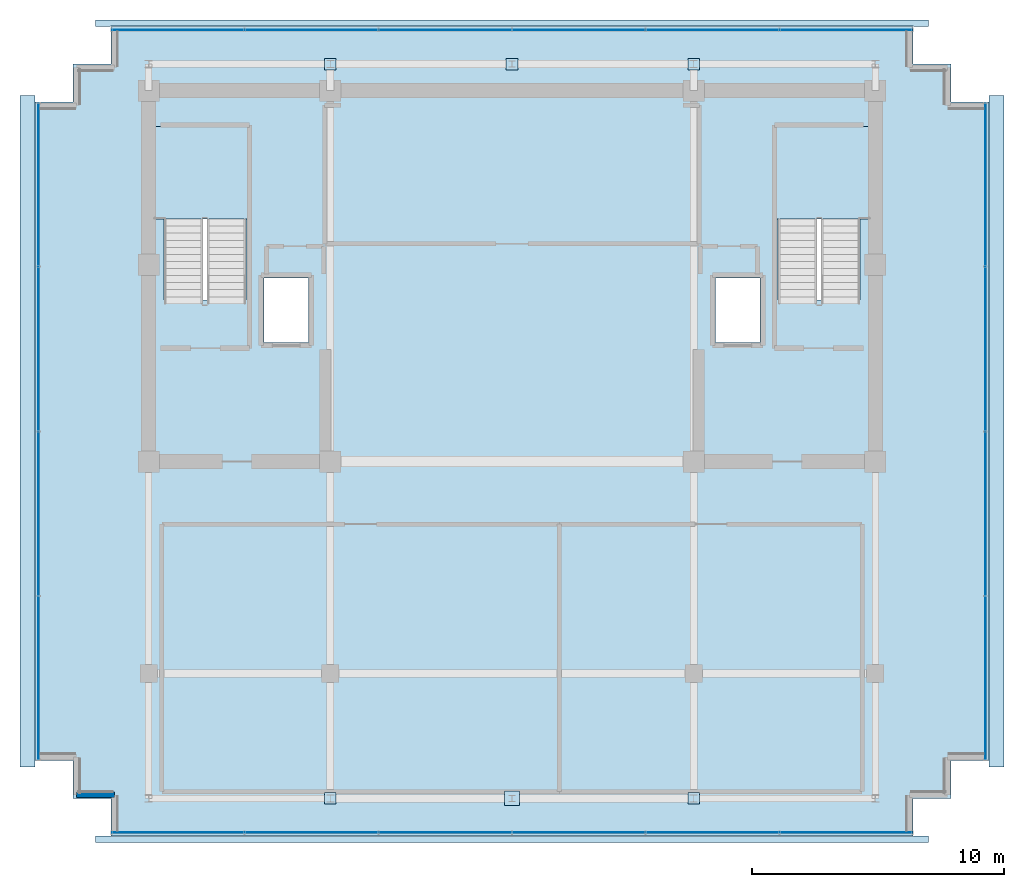
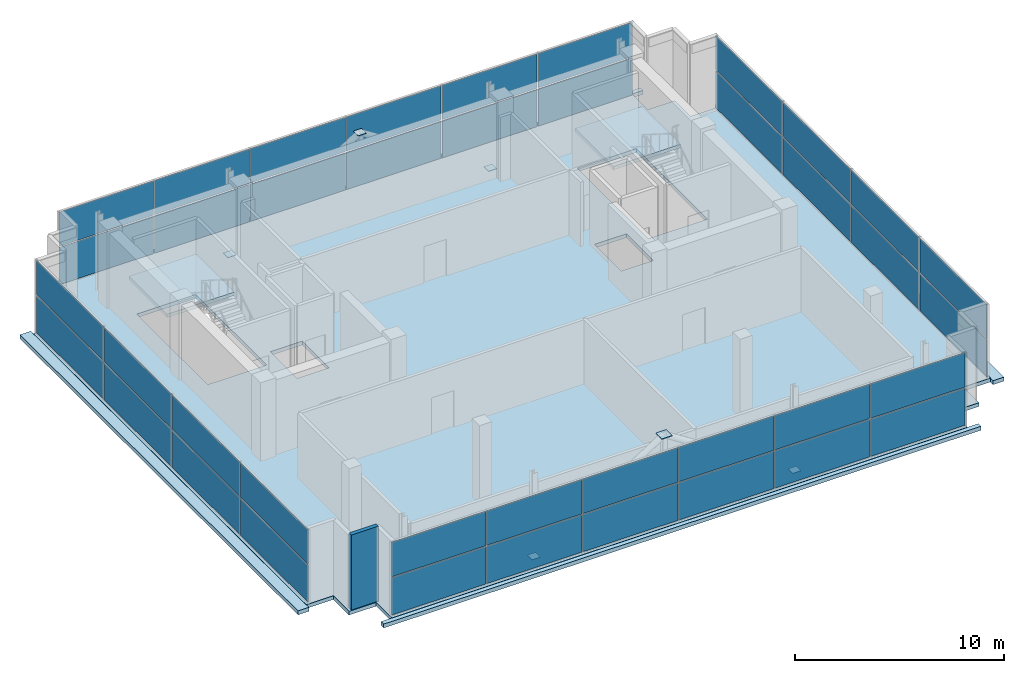
# One storey, part 22 of 26: 46 plates, 7 slabs, 1 wall, 6 elements without a shape of their own.
"""IFC4 building model written with IfcOpenShell, lengths in metres."""

import ifcopenshell
import ifcopenshell.guid

model = None  # the IFC model being written
_history = None  # IfcOwnerHistory: only IFC2X3 demands one
_inside = {}  # id of a spatial element -> (the spatial element, [elements in it])
_under = {}  # id of a project, library or spatial element -> (it, [spatial elements below it])
_declared = {}  # id of a project -> (the project, [libraries it declares])
_typed = {}  # id of a type object -> (the type object, [elements of that type])
_made_of = {}  # id of a material, layer set ... -> (it, [elements and type objects made of it])


def new_model(schema):
    """Start an empty IFC model of exactly this schema.

    Asked for "IFC4X3", IfcOpenShell would pick the latest addendum, in which some entities
    have other attributes; the version numbers below select the first issue.
    IFC2X3 requires an IfcOwnerHistory on every rooted entity: one is made here for all.
    """
    global model, _history
    if schema == "IFC4X3":
        model = ifcopenshell.file(schema_version=(4, 3, 0, 0))
    else:
        model = ifcopenshell.file(schema=schema)
    _inside.clear()
    _under.clear()
    _declared.clear()
    _typed.clear()
    _made_of.clear()
    _history = None
    if model.schema == "IFC2X3":
        org = make("IfcOrganization", Name="unknown")
        user = make(
            "IfcPersonAndOrganization",
            ThePerson=make("IfcPerson", FamilyName="unknown"),
            TheOrganization=org,
        )
        app = make(
            "IfcApplication",
            ApplicationDeveloper=org,
            Version="unknown",
            ApplicationFullName="unknown",
            ApplicationIdentifier="unknown",
        )
        _history = make(
            "IfcOwnerHistory",
            OwningUser=user,
            OwningApplication=app,
            ChangeAction="ADDED",
            CreationDate=0,
        )
    return model


def make(cls, **values):
    """One entity of the class cls with the attributes given. An attribute that is None is left unset."""
    return model.create_entity(
        cls, **{name: value for name, value in values.items() if value is not None}
    )


def rooted(cls, **values):
    """An entity with a GlobalId (a new one), such as an element, a storey or a relation."""
    return make(cls, GlobalId=ifcopenshell.guid.new(), OwnerHistory=_history, **values)


def si_unit(unit_type, name, prefix=None):
    """IfcSIUnit, for example si_unit("LENGTHUNIT", "METRE", prefix="MILLI")."""
    return make("IfcSIUnit", UnitType=unit_type, Prefix=prefix, Name=name)


def assignment(units):
    """IfcUnitAssignment: the units of a project."""
    return None if units is None else make("IfcUnitAssignment", Units=units)


def point(xyz):
    """IfcCartesianPoint."""
    return None if xyz is None else make("IfcCartesianPoint", Coordinates=xyz)


def direction(xyz):
    """IfcDirection."""
    return None if xyz is None else make("IfcDirection", DirectionRatios=xyz)


def frame(location, z_axis=None, x_axis=None):
    """IfcAxis2Placement3D, a coordinate frame: its origin and axes. An axis left out is left unset."""
    return make(
        "IfcAxis2Placement3D",
        Location=point(location),
        Axis=direction(z_axis),
        RefDirection=direction(x_axis),
    )


def frame_2d(location, x_axis=None):
    """IfcAxis2Placement2D, a coordinate frame in the plane: its origin and x axis."""
    return make(
        "IfcAxis2Placement2D", Location=point(location), RefDirection=direction(x_axis)
    )


def origin():
    """The frame at (0, 0, 0) with its axes left unset."""
    return frame((0.0, 0.0, 0.0))


def origin_2d():
    """The frame at (0, 0) in the plane with its x axis left unset."""
    return frame_2d((0.0, 0.0))


def place(relative_to, where):
    """IfcLocalPlacement: puts the frame where relative to a parent placement (None: the world)."""
    return make(
        "IfcLocalPlacement", PlacementRelTo=relative_to, RelativePlacement=where
    )


def context(
    kind, dimensions, precision=None, world=None, true_north=None, identifier=None
):
    """IfcGeometricRepresentationContext, for example the 3D "Model" context."""
    return make(
        "IfcGeometricRepresentationContext",
        ContextIdentifier=identifier,
        ContextType=kind,
        CoordinateSpaceDimension=dimensions,
        Precision=precision,
        WorldCoordinateSystem=world,
        TrueNorth=true_north,
    )


def subcontext(parent, identifier, kind, view, scale=None):
    """IfcGeometricRepresentationSubContext, for example "Body" below "Model"."""
    return make(
        "IfcGeometricRepresentationSubContext",
        ContextIdentifier=identifier,
        ContextType=kind,
        ParentContext=parent,
        TargetScale=scale,
        TargetView=view,
    )


def project(units=None, contexts=None):
    """IfcProject with its units and contexts."""
    return rooted(
        "IfcProject",
        Name="project",
        RepresentationContexts=contexts,
        UnitsInContext=assignment(units),
    )


def spatial(cls, under=None, at=None, **own):
    """A site, building, storey or space (cls), placed at a placement, below another one or the project."""
    s = rooted(cls, ObjectPlacement=at, **own)
    if under is not None:
        _under.setdefault(under.id(), (under, []))[1].append(s)
    return s


def polyline(points):
    """IfcPolyline through the points."""
    return make("IfcPolyline", Points=[point(p) for p in points])


def profile(cls, at=None, kind="AREA", **sizes):
    """A parametric profile (cls). Its sizes go by their IFC names, for example OverallWidth=200.0."""
    return make(cls, ProfileType=kind, Position=at, **sizes)


def rectangle(**sizes):
    """IfcRectangleProfileDef."""
    return profile("IfcRectangleProfileDef", **sizes)


def outline(outer, holes=None, kind="AREA"):
    """IfcArbitraryClosedProfileDef: a profile drawn as a closed curve; with holes, ...WithVoids."""
    if holes is None:
        return make("IfcArbitraryClosedProfileDef", ProfileType=kind, OuterCurve=outer)
    return make(
        "IfcArbitraryProfileDefWithVoids",
        ProfileType=kind,
        OuterCurve=outer,
        InnerCurves=holes,
    )


def extrude(swept, where, along, depth):
    """IfcExtrudedAreaSolid: the profile swept, set in the frame where, extruded along a direction by depth."""
    return make(
        "IfcExtrudedAreaSolid",
        SweptArea=swept,
        Position=where,
        ExtrudedDirection=direction(along),
        Depth=depth,
    )


def shape(context_of_items, identifier, shape_type, items):
    """IfcShapeRepresentation: the items that make up one representation, for example the "Body"."""
    return make(
        "IfcShapeRepresentation",
        ContextOfItems=context_of_items,
        RepresentationIdentifier=identifier,
        RepresentationType=shape_type,
        Items=items,
    )


def source(mapping_origin, context_of_items, identifier, shape_type, items):
    """IfcRepresentationMap: a shape defined once, which mapped items show again and again."""
    return make(
        "IfcRepresentationMap",
        MappingOrigin=mapping_origin,
        MappedRepresentation=shape(context_of_items, identifier, shape_type, items),
    )


def transform(
    local_origin,
    x_axis=None,
    y_axis=None,
    z_axis=None,
    scale=None,
    scale2=None,
    scale3=None,
    uniform=True,
):
    """IfcCartesianTransformationOperator3D, or its non-uniform kind. x_axis, y_axis, z_axis: its Axis1, 2, 3."""
    if uniform:
        return make(
            "IfcCartesianTransformationOperator3D",
            Axis1=direction(x_axis),
            Axis2=direction(y_axis),
            LocalOrigin=point(local_origin),
            Scale=scale,
            Axis3=direction(z_axis),
        )
    return make(
        "IfcCartesianTransformationOperator3DnonUniform",
        Axis1=direction(x_axis),
        Axis2=direction(y_axis),
        LocalOrigin=point(local_origin),
        Scale=scale,
        Axis3=direction(z_axis),
        Scale2=scale2,
        Scale3=scale3,
    )


def mapped(mapping_source, mapping_target):
    """IfcMappedItem: shows the shape of a source again, moved by a transform."""
    return make(
        "IfcMappedItem", MappingSource=mapping_source, MappingTarget=mapping_target
    )


def material(Name=None, Category=None):
    """IfcMaterial."""
    return make("IfcMaterial", Name=Name, Category=Category)


def layer(
    of_material, thickness, ventilated=None, Name=None, Category=None, Priority=None
):
    """IfcMaterialLayer: one layer of a wall or slab, of a material (None: an air gap)."""
    return make(
        "IfcMaterialLayer",
        Material=of_material,
        LayerThickness=thickness,
        IsVentilated=ventilated,
        Name=Name,
        Category=Category,
        Priority=Priority,
    )


def layer_set(layers, Name=None):
    """IfcMaterialLayerSet."""
    return make("IfcMaterialLayerSet", MaterialLayers=layers, LayerSetName=Name)


def made_of(thing, what):
    """Note that an element or type object is made of a material, layer set ...; save() writes the relation."""
    if what is not None:
        _made_of.setdefault(what.id(), (what, []))[1].append(thing)
    return thing


def type_object(cls, material=None, **own):
    """A type object (cls), such as IfcWallType, which elements share."""
    return made_of(rooted(cls, **own), material)


def element(
    cls,
    number,
    at=None,
    inside=None,
    cuts=None,
    type_object=None,
    material=None,
    context=None,
    identifier="Body",
    shape_type=None,
    held_by="IfcProductDefinitionShape",
    body=None,
    shapes=None,
    **own,
):
    """One element of the class cls, such as IfcWall. Its Tag is "e" and its number.

    at: its placement. inside: the storey or other place that contains it. cuts: it is an
    opening in that element (IfcRelVoidsElement). A single representation is given by context,
    identifier, shape_type and body (its items); several are given by shapes. held_by: the class
    of the entity that holds the representations. save() writes the other relations.
    """
    e = rooted(cls, Tag="e%d" % number, ObjectPlacement=at, **own)
    if body is not None:
        shapes = [shape(context, identifier, shape_type, body)]
    if shapes is not None:
        e.Representation = make(held_by, Representations=shapes)
    if inside is not None:
        _inside.setdefault(inside.id(), (inside, []))[1].append(e)
    if cuts is not None:
        rooted(
            "IfcRelVoidsElement", RelatingBuildingElement=cuts, RelatedOpeningElement=e
        )
    if type_object is not None:
        _typed.setdefault(type_object.id(), (type_object, []))[1].append(e)
    return made_of(e, material)


def aggregate(whole, parts):
    """IfcRelAggregates: a whole, such as a stair, and the parts it consists of."""
    return rooted("IfcRelAggregates", RelatingObject=whole, RelatedObjects=parts)


def save(model, path):
    """Write the relations noted so far, then the file.

    IfcRelAggregates (storeys below a building ...), IfcRelContainedInSpatialStructure (elements
    in a storey), IfcRelDefinesByType, IfcRelAssociatesMaterial and IfcRelDeclares: one each for
    every whole, place, type object, material and project.
    """
    for whole, parts in _under.values():
        aggregate(whole, parts)
    for where, things in _inside.values():
        rooted(
            "IfcRelContainedInSpatialStructure",
            RelatedElements=things,
            RelatingStructure=where,
        )
    for kind, things in _typed.values():
        rooted("IfcRelDefinesByType", RelatedObjects=things, RelatingType=kind)
    for what, things in _made_of.values():
        rooted("IfcRelAssociatesMaterial", RelatedObjects=things, RelatingMaterial=what)
    for by, libraries in _declared.values():
        rooted("IfcRelDeclares", RelatingContext=by, RelatedDefinitions=libraries)
    model.write(path)


model = new_model("IFC4")

# Units and contexts
model_context = context("Model", 3, precision=1e-05, world=origin(), true_north=direction((0.0, 1.0)))
body_context = subcontext(model_context, "Body", "Model", "MODEL_VIEW")
ifc_project = project(units=[si_unit("LENGTHUNIT", "METRE"), si_unit("AREAUNIT", "SQUARE_METRE"), si_unit("VOLUMEUNIT", "CUBIC_METRE"), si_unit("PLANEANGLEUNIT", "RADIAN"), si_unit("MASSUNIT", "GRAM", prefix="KILO")], contexts=[model_context])

# Site, building, storey
site_placement = place(None, origin())
site = spatial("IfcSite", under=ifc_project, at=site_placement, CompositionType="ELEMENT")
building_placement = place(site_placement, origin())
building = spatial("IfcBuilding", under=site, at=building_placement, Name="Zarnakvel Exchange Tower", CompositionType="ELEMENT")
storey_placement = place(building_placement, frame((0.0, 0.0, 285.39990234375)))
storey = spatial("IfcBuildingStorey", under=building, at=storey_placement, Name="Crown L80", CompositionType="ELEMENT", Elevation=285.39990234375)

# Stair, slab
ifc_material_1 = material(Name="Concrete C40/50", Category="concrete")
stair_type = type_object("IfcStairType", Name="STR-01", PredefinedType="HALF_TURN_STAIR", material=ifc_material_1)
stair_1_placement = place(storey_placement, origin())
stair_1 = element("IfcStair", 1, at=stair_1_placement, inside=storey, type_object=stair_type, Name="Crown L80 Protected Core Exit Stair ST-01", PredefinedType="HALF_TURN_STAIR")
ifc_layer_1 = layer(ifc_material_1, 0.199951171875)
ifc_layer_set_1 = layer_set([ifc_layer_1], Name="Concrete C40/50")
slab_type_1 = type_object("IfcSlabType", Name="LDG-01", PredefinedType="LANDING", material=ifc_layer_set_1)
slab_1_placement = place(storey_placement, frame((0.0, 0.0, 2.10009765625)))
slab_1 = element("IfcSlab", 2, at=slab_1_placement, type_object=slab_type_1, Name="ST-01 landing 1", PredefinedType="LANDING", context=body_context, shape_type="SweptSolid", body=[
    extrude(outline(polyline([(-14.18994140625, 8.409912109375), (-10.4599609375, 8.409912109375), (-10.4599609375, 12.080078125), (-14.18994140625, 12.080078125), (-14.18994140625, 8.409912109375)])), origin(), (0.0, 0.0, 1.0), 0.199951171875),
])
aggregate(stair_1, [slab_1])

stair_2_placement = place(storey_placement, origin())
stair_2 = element("IfcStair", 3, at=stair_2_placement, inside=storey, type_object=stair_type, Name="Crown L80 Protected Core Exit Stair ST-02", PredefinedType="HALF_TURN_STAIR")
slab_2_placement = place(storey_placement, frame((0.0, 0.0, 2.10009765625)))
slab_2 = element("IfcSlab", 4, at=slab_2_placement, type_object=slab_type_1, Name="ST-02 landing 1", PredefinedType="LANDING", context=body_context, shape_type="SweptSolid", body=[
    extrude(outline(polyline([(10.4599609375, 8.409912109375), (14.18994140625, 8.409912109375), (14.18994140625, 12.080078125), (10.4599609375, 12.080078125), (10.4599609375, 8.409912109375)])), origin(), (0.0, 0.0, 1.0), 0.199951171875),
])
aggregate(stair_2, [slab_2])

# Slabs
ifc_layer_2 = layer(ifc_material_1, 0.22998046875)
ifc_layer_set_2 = layer_set([ifc_layer_2], Name="Concrete C40/50")
slab_type_2 = type_object("IfcSlabType", Name="RF-SL1", PredefinedType="ROOF", material=ifc_layer_set_2)
slab_3_placement = place(storey_placement, frame((0.0, 0.0, -0.22998046875)))
element("IfcSlab", 5, at=slab_3_placement, inside=storey, type_object=slab_type_2, Name="Crown L80 Stepped Crown Tier Roof Slab #1", PredefinedType="ROOF", context=body_context, shape_type="SweptSolid", body=[
    extrude(outline(polyline([(16.5, -16.300048828125), (-16.5, -16.300048828125), (-16.5, -16.050048828125), (-15.909912109375, -16.050048828125), (-15.909912109375, -16.06005859375), (15.909912109375, -16.06005859375), (15.909912109375, -16.050048828125), (16.5, -16.050048828125), (16.5, -16.300048828125)])), origin(), (0.0, 0.0, 1.0), 0.22998046875),
])
slab_4_placement = place(storey_placement, frame((0.0, 0.0, -0.22998046875)))
element("IfcSlab", 6, at=slab_4_placement, inside=storey, type_object=slab_type_2, Name="Crown L80 Stepped Crown Tier Roof Slab #2", PredefinedType="ROOF", context=body_context, shape_type="SweptSolid", body=[
    extrude(outline(polyline([(-16.5, 16.300048828125), (16.5, 16.300048828125), (16.5, 16.050048828125), (15.909912109375, 16.050048828125), (15.909912109375, 16.06005859375), (-15.909912109375, 16.06005859375), (-15.909912109375, 16.050048828125), (-16.5, 16.050048828125), (-16.5, 16.300048828125)])), origin(), (0.0, 0.0, 1.0), 0.22998046875),
])
slab_5_placement = place(storey_placement, frame((0.0, 0.0, -0.22998046875)))
element("IfcSlab", 7, at=slab_5_placement, inside=storey, type_object=slab_type_2, Name="Crown L80 Stepped Crown Tier Roof Slab #3", PredefinedType="ROOF", context=body_context, shape_type="SweptSolid", body=[
    extrude(outline(polyline([(-18.89990234375, 13.300048828125), (-18.89990234375, 13.06005859375), (-18.909912109375, 13.06005859375), (-18.909912109375, -13.06005859375), (-18.89990234375, -13.06005859375), (-18.89990234375, -13.300048828125), (-19.5, -13.300048828125), (-19.5, 13.300048828125), (-18.89990234375, 13.300048828125)])), origin(), (0.0, 0.0, 1.0), 0.22998046875),
])
slab_6_placement = place(storey_placement, frame((0.0, 0.0, -0.22998046875)))
element("IfcSlab", 8, at=slab_6_placement, inside=storey, type_object=slab_type_2, Name="Crown L80 Stepped Crown Tier Roof Slab #4", PredefinedType="ROOF", context=body_context, shape_type="SweptSolid", body=[
    extrude(outline(polyline([(19.5, 13.300048828125), (19.5, -13.300048828125), (18.89990234375, -13.300048828125), (18.89990234375, -13.06005859375), (18.909912109375, -13.06005859375), (18.909912109375, 13.06005859375), (18.89990234375, 13.06005859375), (18.89990234375, 13.300048828125), (19.5, 13.300048828125)])), origin(), (0.0, 0.0, 1.0), 0.22998046875),
])
ifc_layer_3 = layer(ifc_material_1, 0.219970703125)
ifc_layer_set_3 = layer_set([ifc_layer_3], Name="Concrete C40/50")
slab_type_3 = type_object("IfcSlabType", Name="SL-05", PredefinedType="FLOOR", material=ifc_layer_set_3)
slab_7_placement = place(storey_placement, frame((0.0, 0.0, -0.219970703125)))
element("IfcSlab", 9, at=slab_7_placement, inside=storey, type_object=slab_type_3, Name="Crown L80 Primary Structural Floor Slab", PredefinedType="FLOOR", context=body_context, shape_type="SweptSolid", body=[
    extrude(outline(polyline([(-18.89990234375, -13.050048828125), (-17.39990234375, -13.050048828125), (-17.39990234375, -14.550048828125), (-15.89990234375, -14.550048828125), (-15.89990234375, -16.050048828125), (15.89990234375, -16.050048828125), (15.89990234375, -14.550048828125), (17.39990234375, -14.550048828125), (17.39990234375, -13.050048828125), (18.89990234375, -13.050048828125), (18.89990234375, 13.050048828125), (17.39990234375, 13.050048828125), (17.39990234375, 14.550048828125), (15.89990234375, 14.550048828125), (15.89990234375, 16.050048828125), (-15.89990234375, 16.050048828125), (-15.89990234375, 14.550048828125), (-17.39990234375, 14.550048828125), (-17.39990234375, 13.050048828125), (-18.89990234375, 13.050048828125), (-18.89990234375, -13.050048828125)]), holes=[polyline([(-13.800048828125, 5.2099609375), (-10.5400390625, 5.2099609375), (-10.5400390625, 12.0), (-13.800048828125, 12.0), (-13.800048828125, 5.2099609375)]), polyline([(10.5400390625, 5.2099609375), (13.800048828125, 5.2099609375), (13.800048828125, 12.0), (10.5400390625, 12.0), (10.5400390625, 5.2099609375)]), polyline([(-9.830078125, 3.52001953125), (-8.070068359375, 3.52001953125), (-8.070068359375, 6.080078125), (-9.830078125, 6.080078125), (-9.830078125, 3.52001953125)]), polyline([(8.070068359375, 3.52001953125), (9.830078125, 3.52001953125), (9.830078125, 6.080078125), (8.070068359375, 6.080078125), (8.070068359375, 3.52001953125)])]), origin(), (0.0, 0.0, 1.0), 0.219970703125),
])

# Plates
ifc_material_2 = material(Name="Steel S355", Category="steel")
ifc_layer_4 = layer(ifc_material_2, 0.028076171875)
ifc_layer_set_4 = layer_set([ifc_layer_4], Name="Steel S355")
plate_type_1 = type_object("IfcPlateType", Name="BP-02", PredefinedType="USERDEFINED", material=ifc_layer_set_4)
shared_shape_1 = source(origin(), body_context, "Body", "SweptSolid", [
    extrude(rectangle(XDim=0.4599609375, YDim=0.4599609375, at=origin_2d()), origin(), (0.0, 0.0, 1.0), 0.028076171875),
])
for number, where, z_axis, x_axis, name in (
    (10, (-7.199951171875, -14.550048828125, -0.3740234375), (0.0, 0.0, 1.0), (1.0, 0.0, 0.0), "Crown L80 Crown Member End Cap Plate"),
    (11, (7.199951171875, -14.550048828125, -0.3740234375), (0.0, 0.0, 1.0), (1.0, 0.0, 0.0), "Crown L80 Crown Member End Cap Plate"),
    (12, (-7.199951171875, 14.550048828125, -0.3740234375), (0.0, 0.0, 1.0), (1.0, 0.0, 0.0), "Crown L80 Crown Member End Cap Plate"),
    (13, (0.0, 14.550048828125, 4.22607421875), (0.0, 0.0, 1.0), (1.0, 0.0, 0.0), "Crown L80 Crown Member End Cap Plate"),
    (14, (7.199951171875, 14.550048828125, -0.3740234375), (0.0, 0.0, 1.0), (1.0, 0.0, 0.0), "Crown L80 Crown Member End Cap Plate"),
):
    element("IfcPlate", number, at=place(storey_placement, frame(where, z_axis=z_axis, x_axis=x_axis)), inside=storey, type_object=plate_type_1, Name=name, ObjectType="BASE_PLATE", PredefinedType="USERDEFINED", context=body_context, shape_type="MappedRepresentation", body=[
        mapped(shared_shape_1, transform((0.0, 0.0, 0.0), x_axis=(1.0, 0.0, 0.0), y_axis=(0.0, 1.0, 0.0), z_axis=(0.0, 0.0, 1.0), scale=1.0)),
    ])
ifc_layer_5 = layer(ifc_material_2, 0.02490234375)
ifc_layer_set_5 = layer_set([ifc_layer_5], Name="Steel S355")
plate_type_2 = type_object("IfcPlateType", Name="VN4", PredefinedType="USERDEFINED", material=ifc_layer_set_5)
shared_shape_2 = source(origin(), body_context, "Body", "SweptSolid", [
    extrude(rectangle(XDim=0.580078125, YDim=0.580078125, at=origin_2d()), origin(), (0.0, 0.0, 1.0), 0.02490234375),
])
plate_1_placement = place(storey_placement, frame((0.0, -14.550048828125, 4.2275390625), z_axis=(0.0, 0.0, 1.0), x_axis=(1.0, 0.0, 0.0)))
element("IfcPlate", 15, at=plate_1_placement, inside=storey, type_object=plate_type_2, Name="Crown L80 Stepped Crown Gusset VN4", ObjectType="GUSSET_PLATE", PredefinedType="USERDEFINED", context=body_context, shape_type="MappedRepresentation", body=[
    mapped(shared_shape_2, transform((0.0, 0.0, 0.0), x_axis=(1.0, 0.0, 0.0), y_axis=(0.0, 1.0, 0.0), z_axis=(0.0, 0.0, 1.0), scale=1.0)),
])

# Curtain wall, plates
ifc_material_3 = material(Name="Architectural Bronze Anodised Aluminium", Category="aluminium")
ifc_layer_6 = layer(ifc_material_3, 0.14990234375)
ifc_layer_set_6 = layer_set([ifc_layer_6], Name="Architectural Bronze Anodised Aluminium")
curtain_wall_type = type_object("IfcCurtainWallType", Name="CW-07", PredefinedType="NOTDEFINED", material=ifc_layer_set_6)
curtain_wall_1_placement = place(storey_placement, origin())
curtain_wall_1 = element("IfcCurtainWall", 16, at=curtain_wall_1_placement, inside=storey, type_object=curtain_wall_type, Name="Crown L80 Curtain Wall CW-Crown L80-S (CW-07)", PredefinedType="NOTDEFINED")
ifc_material_4 = material(Name="Insulated Bronze Aluminium Spandrel Panel", Category="aluminium")
ifc_layer_7 = layer(ifc_material_4, 0.02392578125)
ifc_layer_set_7 = layer_set([ifc_layer_7], Name="Insulated Bronze Aluminium Spandrel Panel")
plate_type_3 = type_object("IfcPlateType", Name="CWP-07", PredefinedType="CURTAIN_PANEL", material=ifc_layer_set_7)
shared_shape_3 = source(origin(), body_context, "Body", "SweptSolid", [
    extrude(rectangle(XDim=5.2099609375, YDim=0.02392578125, at=origin_2d()), origin(), (0.0, 0.0, 1.0), 2.17724609375),
])
plate_2_placement = place(storey_placement, frame((-13.235107421875, -15.909912109375, 0.06005859375), z_axis=(0.0, 0.0, 1.0), x_axis=(1.0, 0.0, 0.0)))
plate_2 = element("IfcPlate", 17, at=plate_2_placement, type_object=plate_type_3, Name="CW-07 panel 1.1", PredefinedType="CURTAIN_PANEL", context=body_context, shape_type="MappedRepresentation", body=[
    mapped(shared_shape_3, transform((0.0, 0.0, 0.0), x_axis=(1.0, 0.0, 0.0), y_axis=(0.0, 1.0, 0.0), z_axis=(0.0, 0.0, 1.0), scale=1.0)),
])
plate_3_placement = place(storey_placement, frame((13.235107421875, -15.909912109375, 0.06005859375), z_axis=(0.0, 0.0, 1.0), x_axis=(1.0, 0.0, 0.0)))
plate_3 = element("IfcPlate", 18, at=plate_3_placement, type_object=plate_type_3, Name="CW-07 panel 6.1", PredefinedType="CURTAIN_PANEL", context=body_context, shape_type="MappedRepresentation", body=[
    mapped(shared_shape_3, transform((0.0, 0.0, 0.0), x_axis=(1.0, 0.0, 0.0), y_axis=(0.0, 1.0, 0.0), z_axis=(0.0, 0.0, 1.0), scale=1.0)),
])

curtain_wall_2_placement = place(storey_placement, origin())
curtain_wall_2 = element("IfcCurtainWall", 19, at=curtain_wall_2_placement, inside=storey, type_object=curtain_wall_type, Name="Crown L80 Curtain Wall CW-Crown L80-N (CW-07)", PredefinedType="NOTDEFINED")
plate_4_placement = place(storey_placement, frame((-13.235107421875, 15.909912109375, 0.06005859375), z_axis=(0.0, 0.0, 1.0), x_axis=(1.0, 0.0, 0.0)))
plate_4 = element("IfcPlate", 20, at=plate_4_placement, type_object=plate_type_3, Name="CW-07 panel 1.1", PredefinedType="CURTAIN_PANEL", context=body_context, shape_type="MappedRepresentation", body=[
    mapped(shared_shape_3, transform((0.0, 0.0, 0.0), x_axis=(1.0, 0.0, 0.0), y_axis=(0.0, 1.0, 0.0), z_axis=(0.0, 0.0, 1.0), scale=1.0)),
])
plate_5_placement = place(storey_placement, frame((13.235107421875, 15.909912109375, 0.06005859375), z_axis=(0.0, 0.0, 1.0), x_axis=(1.0, 0.0, 0.0)))
plate_5 = element("IfcPlate", 21, at=plate_5_placement, type_object=plate_type_3, Name="CW-07 panel 6.1", PredefinedType="CURTAIN_PANEL", context=body_context, shape_type="MappedRepresentation", body=[
    mapped(shared_shape_3, transform((0.0, 0.0, 0.0), x_axis=(1.0, 0.0, 0.0), y_axis=(0.0, 1.0, 0.0), z_axis=(0.0, 0.0, 1.0), scale=1.0)),
])

# Plate
shared_shape_4 = source(origin(), body_context, "Body", "SweptSolid", [
    extrude(rectangle(XDim=5.2099609375, YDim=0.02392578125, at=origin_2d()), origin(), (0.0, 0.0, 1.0), 2.002685546875),
])
plate_6_placement = place(storey_placement, frame((-13.235107421875, -15.909912109375, 2.29736328125), z_axis=(0.0, 0.0, 1.0), x_axis=(1.0, 0.0, 0.0)))
plate_6 = element("IfcPlate", 22, at=plate_6_placement, type_object=plate_type_3, Name="CW-07 panel 1.2", PredefinedType="CURTAIN_PANEL", context=body_context, shape_type="MappedRepresentation", body=[
    mapped(shared_shape_4, transform((0.0, 0.0, 0.0), x_axis=(1.0, 0.0, 0.0), y_axis=(0.0, 1.0, 0.0), z_axis=(0.0, 0.0, 1.0), scale=1.0)),
])

plate_7_placement = place(storey_placement, frame((13.235107421875, -15.909912109375, 2.29736328125), z_axis=(0.0, 0.0, 1.0), x_axis=(1.0, 0.0, 0.0)))
plate_7 = element("IfcPlate", 23, at=plate_7_placement, type_object=plate_type_3, Name="CW-07 panel 6.2", PredefinedType="CURTAIN_PANEL", context=body_context, shape_type="MappedRepresentation", body=[
    mapped(shared_shape_4, transform((0.0, 0.0, 0.0), x_axis=(1.0, 0.0, 0.0), y_axis=(0.0, 1.0, 0.0), z_axis=(0.0, 0.0, 1.0), scale=1.0)),
])

plate_8_placement = place(storey_placement, frame((-13.235107421875, 15.909912109375, 2.29736328125), z_axis=(0.0, 0.0, 1.0), x_axis=(1.0, 0.0, 0.0)))
plate_8 = element("IfcPlate", 24, at=plate_8_placement, type_object=plate_type_3, Name="CW-07 panel 1.2", PredefinedType="CURTAIN_PANEL", context=body_context, shape_type="MappedRepresentation", body=[
    mapped(shared_shape_4, transform((0.0, 0.0, 0.0), x_axis=(1.0, 0.0, 0.0), y_axis=(0.0, 1.0, 0.0), z_axis=(0.0, 0.0, 1.0), scale=1.0)),
])

plate_9_placement = place(storey_placement, frame((13.235107421875, 15.909912109375, 2.29736328125), z_axis=(0.0, 0.0, 1.0), x_axis=(1.0, 0.0, 0.0)))
plate_9 = element("IfcPlate", 25, at=plate_9_placement, type_object=plate_type_3, Name="CW-07 panel 6.2", PredefinedType="CURTAIN_PANEL", context=body_context, shape_type="MappedRepresentation", body=[
    mapped(shared_shape_4, transform((0.0, 0.0, 0.0), x_axis=(1.0, 0.0, 0.0), y_axis=(0.0, 1.0, 0.0), z_axis=(0.0, 0.0, 1.0), scale=1.0)),
])

shared_shape_5 = source(origin(), body_context, "Body", "SweptSolid", [
    extrude(rectangle(XDim=5.239990234375, YDim=0.02392578125, at=origin_2d()), origin(), (0.0, 0.0, 1.0), 2.17724609375),
])
plate_10_placement = place(storey_placement, frame((-7.949951171875, -15.909912109375, 0.06005859375), z_axis=(0.0, 0.0, 1.0), x_axis=(1.0, 0.0, 0.0)))
plate_10 = element("IfcPlate", 26, at=plate_10_placement, type_object=plate_type_3, Name="CW-07 panel 2.1", PredefinedType="CURTAIN_PANEL", context=body_context, shape_type="MappedRepresentation", body=[
    mapped(shared_shape_5, transform((0.0, 0.0, 0.0), x_axis=(1.0, 0.0, 0.0), y_axis=(0.0, 1.0, 0.0), z_axis=(0.0, 0.0, 1.0), scale=1.0)),
])

plate_11_placement = place(storey_placement, frame((-2.64990234375, -15.909912109375, 0.06005859375), z_axis=(0.0, 0.0, 1.0), x_axis=(1.0, 0.0, 0.0)))
plate_11 = element("IfcPlate", 27, at=plate_11_placement, type_object=plate_type_3, Name="CW-07 panel 3.1", PredefinedType="CURTAIN_PANEL", context=body_context, shape_type="MappedRepresentation", body=[
    mapped(shared_shape_5, transform((0.0, 0.0, 0.0), x_axis=(1.0, 0.0, 0.0), y_axis=(0.0, 1.0, 0.0), z_axis=(0.0, 0.0, 1.0), scale=1.0)),
])

plate_12_placement = place(storey_placement, frame((2.64990234375, -15.909912109375, 0.06005859375), z_axis=(0.0, 0.0, 1.0), x_axis=(1.0, 0.0, 0.0)))
plate_12 = element("IfcPlate", 28, at=plate_12_placement, type_object=plate_type_3, Name="CW-07 panel 4.1", PredefinedType="CURTAIN_PANEL", context=body_context, shape_type="MappedRepresentation", body=[
    mapped(shared_shape_5, transform((0.0, 0.0, 0.0), x_axis=(1.0, 0.0, 0.0), y_axis=(0.0, 1.0, 0.0), z_axis=(0.0, 0.0, 1.0), scale=1.0)),
])

plate_13_placement = place(storey_placement, frame((7.949951171875, -15.909912109375, 0.06005859375), z_axis=(0.0, 0.0, 1.0), x_axis=(1.0, 0.0, 0.0)))
plate_13 = element("IfcPlate", 29, at=plate_13_placement, type_object=plate_type_3, Name="CW-07 panel 5.1", PredefinedType="CURTAIN_PANEL", context=body_context, shape_type="MappedRepresentation", body=[
    mapped(shared_shape_5, transform((0.0, 0.0, 0.0), x_axis=(1.0, 0.0, 0.0), y_axis=(0.0, 1.0, 0.0), z_axis=(0.0, 0.0, 1.0), scale=1.0)),
])

plate_14_placement = place(storey_placement, frame((-7.949951171875, 15.909912109375, 0.06005859375), z_axis=(0.0, 0.0, 1.0), x_axis=(1.0, 0.0, 0.0)))
plate_14 = element("IfcPlate", 30, at=plate_14_placement, type_object=plate_type_3, Name="CW-07 panel 2.1", PredefinedType="CURTAIN_PANEL", context=body_context, shape_type="MappedRepresentation", body=[
    mapped(shared_shape_5, transform((0.0, 0.0, 0.0), x_axis=(1.0, 0.0, 0.0), y_axis=(0.0, 1.0, 0.0), z_axis=(0.0, 0.0, 1.0), scale=1.0)),
])

plate_15_placement = place(storey_placement, frame((-2.64990234375, 15.909912109375, 0.06005859375), z_axis=(0.0, 0.0, 1.0), x_axis=(1.0, 0.0, 0.0)))
plate_15 = element("IfcPlate", 31, at=plate_15_placement, type_object=plate_type_3, Name="CW-07 panel 3.1", PredefinedType="CURTAIN_PANEL", context=body_context, shape_type="MappedRepresentation", body=[
    mapped(shared_shape_5, transform((0.0, 0.0, 0.0), x_axis=(1.0, 0.0, 0.0), y_axis=(0.0, 1.0, 0.0), z_axis=(0.0, 0.0, 1.0), scale=1.0)),
])

plate_16_placement = place(storey_placement, frame((2.64990234375, 15.909912109375, 0.06005859375), z_axis=(0.0, 0.0, 1.0), x_axis=(1.0, 0.0, 0.0)))
plate_16 = element("IfcPlate", 32, at=plate_16_placement, type_object=plate_type_3, Name="CW-07 panel 4.1", PredefinedType="CURTAIN_PANEL", context=body_context, shape_type="MappedRepresentation", body=[
    mapped(shared_shape_5, transform((0.0, 0.0, 0.0), x_axis=(1.0, 0.0, 0.0), y_axis=(0.0, 1.0, 0.0), z_axis=(0.0, 0.0, 1.0), scale=1.0)),
])

plate_17_placement = place(storey_placement, frame((7.949951171875, 15.909912109375, 0.06005859375), z_axis=(0.0, 0.0, 1.0), x_axis=(1.0, 0.0, 0.0)))
plate_17 = element("IfcPlate", 33, at=plate_17_placement, type_object=plate_type_3, Name="CW-07 panel 5.1", PredefinedType="CURTAIN_PANEL", context=body_context, shape_type="MappedRepresentation", body=[
    mapped(shared_shape_5, transform((0.0, 0.0, 0.0), x_axis=(1.0, 0.0, 0.0), y_axis=(0.0, 1.0, 0.0), z_axis=(0.0, 0.0, 1.0), scale=1.0)),
])

shared_shape_6 = source(origin(), body_context, "Body", "SweptSolid", [
    extrude(rectangle(XDim=5.239990234375, YDim=0.02392578125, at=origin_2d()), origin(), (0.0, 0.0, 1.0), 2.002685546875),
])
plate_18_placement = place(storey_placement, frame((-7.949951171875, -15.909912109375, 2.29736328125), z_axis=(0.0, 0.0, 1.0), x_axis=(1.0, 0.0, 0.0)))
plate_18 = element("IfcPlate", 34, at=plate_18_placement, type_object=plate_type_3, Name="CW-07 panel 2.2", PredefinedType="CURTAIN_PANEL", context=body_context, shape_type="MappedRepresentation", body=[
    mapped(shared_shape_6, transform((0.0, 0.0, 0.0), x_axis=(1.0, 0.0, 0.0), y_axis=(0.0, 1.0, 0.0), z_axis=(0.0, 0.0, 1.0), scale=1.0)),
])

plate_19_placement = place(storey_placement, frame((-2.64990234375, -15.909912109375, 2.29736328125), z_axis=(0.0, 0.0, 1.0), x_axis=(1.0, 0.0, 0.0)))
plate_19 = element("IfcPlate", 35, at=plate_19_placement, type_object=plate_type_3, Name="CW-07 panel 3.2", PredefinedType="CURTAIN_PANEL", context=body_context, shape_type="MappedRepresentation", body=[
    mapped(shared_shape_6, transform((0.0, 0.0, 0.0), x_axis=(1.0, 0.0, 0.0), y_axis=(0.0, 1.0, 0.0), z_axis=(0.0, 0.0, 1.0), scale=1.0)),
])

plate_20_placement = place(storey_placement, frame((2.64990234375, -15.909912109375, 2.29736328125), z_axis=(0.0, 0.0, 1.0), x_axis=(1.0, 0.0, 0.0)))
plate_20 = element("IfcPlate", 36, at=plate_20_placement, type_object=plate_type_3, Name="CW-07 panel 4.2", PredefinedType="CURTAIN_PANEL", context=body_context, shape_type="MappedRepresentation", body=[
    mapped(shared_shape_6, transform((0.0, 0.0, 0.0), x_axis=(1.0, 0.0, 0.0), y_axis=(0.0, 1.0, 0.0), z_axis=(0.0, 0.0, 1.0), scale=1.0)),
])

plate_21_placement = place(storey_placement, frame((7.949951171875, -15.909912109375, 2.29736328125), z_axis=(0.0, 0.0, 1.0), x_axis=(1.0, 0.0, 0.0)))
plate_21 = element("IfcPlate", 37, at=plate_21_placement, type_object=plate_type_3, Name="CW-07 panel 5.2", PredefinedType="CURTAIN_PANEL", context=body_context, shape_type="MappedRepresentation", body=[
    mapped(shared_shape_6, transform((0.0, 0.0, 0.0), x_axis=(1.0, 0.0, 0.0), y_axis=(0.0, 1.0, 0.0), z_axis=(0.0, 0.0, 1.0), scale=1.0)),
])

aggregate(curtain_wall_1, [plate_2, plate_6, plate_10, plate_18, plate_11, plate_19, plate_12, plate_20, plate_13, plate_21, plate_3, plate_7])

plate_22_placement = place(storey_placement, frame((-7.949951171875, 15.909912109375, 2.29736328125), z_axis=(0.0, 0.0, 1.0), x_axis=(1.0, 0.0, 0.0)))
plate_22 = element("IfcPlate", 38, at=plate_22_placement, type_object=plate_type_3, Name="CW-07 panel 2.2", PredefinedType="CURTAIN_PANEL", context=body_context, shape_type="MappedRepresentation", body=[
    mapped(shared_shape_6, transform((0.0, 0.0, 0.0), x_axis=(1.0, 0.0, 0.0), y_axis=(0.0, 1.0, 0.0), z_axis=(0.0, 0.0, 1.0), scale=1.0)),
])

plate_23_placement = place(storey_placement, frame((-2.64990234375, 15.909912109375, 2.29736328125), z_axis=(0.0, 0.0, 1.0), x_axis=(1.0, 0.0, 0.0)))
plate_23 = element("IfcPlate", 39, at=plate_23_placement, type_object=plate_type_3, Name="CW-07 panel 3.2", PredefinedType="CURTAIN_PANEL", context=body_context, shape_type="MappedRepresentation", body=[
    mapped(shared_shape_6, transform((0.0, 0.0, 0.0), x_axis=(1.0, 0.0, 0.0), y_axis=(0.0, 1.0, 0.0), z_axis=(0.0, 0.0, 1.0), scale=1.0)),
])

plate_24_placement = place(storey_placement, frame((2.64990234375, 15.909912109375, 2.29736328125), z_axis=(0.0, 0.0, 1.0), x_axis=(1.0, 0.0, 0.0)))
plate_24 = element("IfcPlate", 40, at=plate_24_placement, type_object=plate_type_3, Name="CW-07 panel 4.2", PredefinedType="CURTAIN_PANEL", context=body_context, shape_type="MappedRepresentation", body=[
    mapped(shared_shape_6, transform((0.0, 0.0, 0.0), x_axis=(1.0, 0.0, 0.0), y_axis=(0.0, 1.0, 0.0), z_axis=(0.0, 0.0, 1.0), scale=1.0)),
])

plate_25_placement = place(storey_placement, frame((7.949951171875, 15.909912109375, 2.29736328125), z_axis=(0.0, 0.0, 1.0), x_axis=(1.0, 0.0, 0.0)))
plate_25 = element("IfcPlate", 41, at=plate_25_placement, type_object=plate_type_3, Name="CW-07 panel 5.2", PredefinedType="CURTAIN_PANEL", context=body_context, shape_type="MappedRepresentation", body=[
    mapped(shared_shape_6, transform((0.0, 0.0, 0.0), x_axis=(1.0, 0.0, 0.0), y_axis=(0.0, 1.0, 0.0), z_axis=(0.0, 0.0, 1.0), scale=1.0)),
])

aggregate(curtain_wall_2, [plate_4, plate_8, plate_14, plate_22, plate_15, plate_23, plate_16, plate_24, plate_17, plate_25, plate_5, plate_9])

# Curtain wall, plates
curtain_wall_3_placement = place(storey_placement, origin())
curtain_wall_3 = element("IfcCurtainWall", 42, at=curtain_wall_3_placement, inside=storey, type_object=curtain_wall_type, Name="Crown L80 Curtain Wall CW-Crown L80-W (CW-07)", PredefinedType="NOTDEFINED")
shared_shape_7 = source(origin(), body_context, "Body", "SweptSolid", [
    extrude(rectangle(XDim=6.43505859375, YDim=0.02392578125, at=origin_2d()), origin(), (0.0, 0.0, 1.0), 2.17724609375),
])
plate_26_placement = place(storey_placement, frame((-18.760009765625, -9.7724609375, 0.06005859375), z_axis=(0.0, 0.0, 1.0), x_axis=(0.0, 1.0, 0.0)))
plate_26 = element("IfcPlate", 43, at=plate_26_placement, type_object=plate_type_3, Name="CW-07 panel 1.1", PredefinedType="CURTAIN_PANEL", context=body_context, shape_type="MappedRepresentation", body=[
    mapped(shared_shape_7, transform((0.0, 0.0, 0.0), x_axis=(1.0, 0.0, 0.0), y_axis=(0.0, 1.0, 0.0), z_axis=(0.0, 0.0, 1.0), scale=1.0)),
])
plate_27_placement = place(storey_placement, frame((-18.760009765625, 9.7724609375, 0.06005859375), z_axis=(0.0, 0.0, 1.0), x_axis=(0.0, 1.0, 0.0)))
plate_27 = element("IfcPlate", 44, at=plate_27_placement, type_object=plate_type_3, Name="CW-07 panel 4.1", PredefinedType="CURTAIN_PANEL", context=body_context, shape_type="MappedRepresentation", body=[
    mapped(shared_shape_7, transform((0.0, 0.0, 0.0), x_axis=(1.0, 0.0, 0.0), y_axis=(0.0, 1.0, 0.0), z_axis=(0.0, 0.0, 1.0), scale=1.0)),
])

curtain_wall_4_placement = place(storey_placement, origin())
curtain_wall_4 = element("IfcCurtainWall", 45, at=curtain_wall_4_placement, inside=storey, type_object=curtain_wall_type, Name="Crown L80 Curtain Wall CW-Crown L80-E (CW-07)", PredefinedType="NOTDEFINED")
plate_28_placement = place(storey_placement, frame((18.760009765625, -9.7724609375, 0.06005859375), z_axis=(0.0, 0.0, 1.0), x_axis=(0.0, 1.0, 0.0)))
plate_28 = element("IfcPlate", 46, at=plate_28_placement, type_object=plate_type_3, Name="CW-07 panel 1.1", PredefinedType="CURTAIN_PANEL", context=body_context, shape_type="MappedRepresentation", body=[
    mapped(shared_shape_7, transform((0.0, 0.0, 0.0), x_axis=(1.0, 0.0, 0.0), y_axis=(0.0, 1.0, 0.0), z_axis=(0.0, 0.0, 1.0), scale=1.0)),
])
plate_29_placement = place(storey_placement, frame((18.760009765625, 9.7724609375, 0.06005859375), z_axis=(0.0, 0.0, 1.0), x_axis=(0.0, 1.0, 0.0)))
plate_29 = element("IfcPlate", 47, at=plate_29_placement, type_object=plate_type_3, Name="CW-07 panel 4.1", PredefinedType="CURTAIN_PANEL", context=body_context, shape_type="MappedRepresentation", body=[
    mapped(shared_shape_7, transform((0.0, 0.0, 0.0), x_axis=(1.0, 0.0, 0.0), y_axis=(0.0, 1.0, 0.0), z_axis=(0.0, 0.0, 1.0), scale=1.0)),
])

# Plate
shared_shape_8 = source(origin(), body_context, "Body", "SweptSolid", [
    extrude(rectangle(XDim=6.43505859375, YDim=0.02392578125, at=origin_2d()), origin(), (0.0, 0.0, 1.0), 2.002685546875),
])
plate_30_placement = place(storey_placement, frame((-18.760009765625, -9.7724609375, 2.29736328125), z_axis=(0.0, 0.0, 1.0), x_axis=(0.0, 1.0, 0.0)))
plate_30 = element("IfcPlate", 48, at=plate_30_placement, type_object=plate_type_3, Name="CW-07 panel 1.2", PredefinedType="CURTAIN_PANEL", context=body_context, shape_type="MappedRepresentation", body=[
    mapped(shared_shape_8, transform((0.0, 0.0, 0.0), x_axis=(1.0, 0.0, 0.0), y_axis=(0.0, 1.0, 0.0), z_axis=(0.0, 0.0, 1.0), scale=1.0)),
])

plate_31_placement = place(storey_placement, frame((-18.760009765625, 9.7724609375, 2.29736328125), z_axis=(0.0, 0.0, 1.0), x_axis=(0.0, 1.0, 0.0)))
plate_31 = element("IfcPlate", 49, at=plate_31_placement, type_object=plate_type_3, Name="CW-07 panel 4.2", PredefinedType="CURTAIN_PANEL", context=body_context, shape_type="MappedRepresentation", body=[
    mapped(shared_shape_8, transform((0.0, 0.0, 0.0), x_axis=(1.0, 0.0, 0.0), y_axis=(0.0, 1.0, 0.0), z_axis=(0.0, 0.0, 1.0), scale=1.0)),
])

plate_32_placement = place(storey_placement, frame((18.760009765625, -9.7724609375, 2.29736328125), z_axis=(0.0, 0.0, 1.0), x_axis=(0.0, 1.0, 0.0)))
plate_32 = element("IfcPlate", 50, at=plate_32_placement, type_object=plate_type_3, Name="CW-07 panel 1.2", PredefinedType="CURTAIN_PANEL", context=body_context, shape_type="MappedRepresentation", body=[
    mapped(shared_shape_8, transform((0.0, 0.0, 0.0), x_axis=(1.0, 0.0, 0.0), y_axis=(0.0, 1.0, 0.0), z_axis=(0.0, 0.0, 1.0), scale=1.0)),
])

plate_33_placement = place(storey_placement, frame((18.760009765625, 9.7724609375, 2.29736328125), z_axis=(0.0, 0.0, 1.0), x_axis=(0.0, 1.0, 0.0)))
plate_33 = element("IfcPlate", 51, at=plate_33_placement, type_object=plate_type_3, Name="CW-07 panel 4.2", PredefinedType="CURTAIN_PANEL", context=body_context, shape_type="MappedRepresentation", body=[
    mapped(shared_shape_8, transform((0.0, 0.0, 0.0), x_axis=(1.0, 0.0, 0.0), y_axis=(0.0, 1.0, 0.0), z_axis=(0.0, 0.0, 1.0), scale=1.0)),
])

shared_shape_9 = source(origin(), body_context, "Body", "SweptSolid", [
    extrude(rectangle(XDim=6.465087890625, YDim=0.02392578125, at=origin_2d()), origin(), (0.0, 0.0, 1.0), 2.17724609375),
])
plate_34_placement = place(storey_placement, frame((-18.760009765625, -3.262451171875, 0.06005859375), z_axis=(0.0, 0.0, 1.0), x_axis=(0.0, 1.0, 0.0)))
plate_34 = element("IfcPlate", 52, at=plate_34_placement, type_object=plate_type_3, Name="CW-07 panel 2.1", PredefinedType="CURTAIN_PANEL", context=body_context, shape_type="MappedRepresentation", body=[
    mapped(shared_shape_9, transform((0.0, 0.0, 0.0), x_axis=(1.0, 0.0, 0.0), y_axis=(0.0, 1.0, 0.0), z_axis=(0.0, 0.0, 1.0), scale=1.0)),
])

plate_35_placement = place(storey_placement, frame((-18.760009765625, 3.262451171875, 0.06005859375), z_axis=(0.0, 0.0, 1.0), x_axis=(0.0, 1.0, 0.0)))
plate_35 = element("IfcPlate", 53, at=plate_35_placement, type_object=plate_type_3, Name="CW-07 panel 3.1", PredefinedType="CURTAIN_PANEL", context=body_context, shape_type="MappedRepresentation", body=[
    mapped(shared_shape_9, transform((0.0, 0.0, 0.0), x_axis=(1.0, 0.0, 0.0), y_axis=(0.0, 1.0, 0.0), z_axis=(0.0, 0.0, 1.0), scale=1.0)),
])

plate_36_placement = place(storey_placement, frame((18.760009765625, -3.262451171875, 0.06005859375), z_axis=(0.0, 0.0, 1.0), x_axis=(0.0, 1.0, 0.0)))
plate_36 = element("IfcPlate", 54, at=plate_36_placement, type_object=plate_type_3, Name="CW-07 panel 2.1", PredefinedType="CURTAIN_PANEL", context=body_context, shape_type="MappedRepresentation", body=[
    mapped(shared_shape_9, transform((0.0, 0.0, 0.0), x_axis=(1.0, 0.0, 0.0), y_axis=(0.0, 1.0, 0.0), z_axis=(0.0, 0.0, 1.0), scale=1.0)),
])

plate_37_placement = place(storey_placement, frame((18.760009765625, 3.262451171875, 0.06005859375), z_axis=(0.0, 0.0, 1.0), x_axis=(0.0, 1.0, 0.0)))
plate_37 = element("IfcPlate", 55, at=plate_37_placement, type_object=plate_type_3, Name="CW-07 panel 3.1", PredefinedType="CURTAIN_PANEL", context=body_context, shape_type="MappedRepresentation", body=[
    mapped(shared_shape_9, transform((0.0, 0.0, 0.0), x_axis=(1.0, 0.0, 0.0), y_axis=(0.0, 1.0, 0.0), z_axis=(0.0, 0.0, 1.0), scale=1.0)),
])

shared_shape_10 = source(origin(), body_context, "Body", "SweptSolid", [
    extrude(rectangle(XDim=6.465087890625, YDim=0.02392578125, at=origin_2d()), origin(), (0.0, 0.0, 1.0), 2.002685546875),
])
plate_38_placement = place(storey_placement, frame((-18.760009765625, -3.262451171875, 2.29736328125), z_axis=(0.0, 0.0, 1.0), x_axis=(0.0, 1.0, 0.0)))
plate_38 = element("IfcPlate", 56, at=plate_38_placement, type_object=plate_type_3, Name="CW-07 panel 2.2", PredefinedType="CURTAIN_PANEL", context=body_context, shape_type="MappedRepresentation", body=[
    mapped(shared_shape_10, transform((0.0, 0.0, 0.0), x_axis=(1.0, 0.0, 0.0), y_axis=(0.0, 1.0, 0.0), z_axis=(0.0, 0.0, 1.0), scale=1.0)),
])

plate_39_placement = place(storey_placement, frame((-18.760009765625, 3.262451171875, 2.29736328125), z_axis=(0.0, 0.0, 1.0), x_axis=(0.0, 1.0, 0.0)))
plate_39 = element("IfcPlate", 57, at=plate_39_placement, type_object=plate_type_3, Name="CW-07 panel 3.2", PredefinedType="CURTAIN_PANEL", context=body_context, shape_type="MappedRepresentation", body=[
    mapped(shared_shape_10, transform((0.0, 0.0, 0.0), x_axis=(1.0, 0.0, 0.0), y_axis=(0.0, 1.0, 0.0), z_axis=(0.0, 0.0, 1.0), scale=1.0)),
])

aggregate(curtain_wall_3, [plate_26, plate_30, plate_34, plate_38, plate_35, plate_39, plate_27, plate_31])

plate_40_placement = place(storey_placement, frame((18.760009765625, -3.262451171875, 2.29736328125), z_axis=(0.0, 0.0, 1.0), x_axis=(0.0, 1.0, 0.0)))
plate_40 = element("IfcPlate", 58, at=plate_40_placement, type_object=plate_type_3, Name="CW-07 panel 2.2", PredefinedType="CURTAIN_PANEL", context=body_context, shape_type="MappedRepresentation", body=[
    mapped(shared_shape_10, transform((0.0, 0.0, 0.0), x_axis=(1.0, 0.0, 0.0), y_axis=(0.0, 1.0, 0.0), z_axis=(0.0, 0.0, 1.0), scale=1.0)),
])

plate_41_placement = place(storey_placement, frame((18.760009765625, 3.262451171875, 2.29736328125), z_axis=(0.0, 0.0, 1.0), x_axis=(0.0, 1.0, 0.0)))
plate_41 = element("IfcPlate", 59, at=plate_41_placement, type_object=plate_type_3, Name="CW-07 panel 3.2", PredefinedType="CURTAIN_PANEL", context=body_context, shape_type="MappedRepresentation", body=[
    mapped(shared_shape_10, transform((0.0, 0.0, 0.0), x_axis=(1.0, 0.0, 0.0), y_axis=(0.0, 1.0, 0.0), z_axis=(0.0, 0.0, 1.0), scale=1.0)),
])

aggregate(curtain_wall_4, [plate_28, plate_32, plate_36, plate_40, plate_37, plate_41, plate_29, plate_33])

# Wall
ifc_material_5 = material(Name="Precast concrete C40/50", Category="concrete")
ifc_layer_8 = layer(ifc_material_5, 0.219970703125)
ifc_layer_set_8 = layer_set([ifc_layer_8], Name="Precast concrete C40/50")
wall_type = type_object("IfcWallType", Name="EW-03", PredefinedType="SOLIDWALL", material=ifc_layer_set_8)
wall_placement = place(storey_placement, frame((-17.260009765625, -14.409912109375, 0.0), z_axis=(0.0, 0.0, 1.0), x_axis=(1.0, 0.0, 0.0)))
element("IfcWall", 60, at=wall_placement, inside=storey, type_object=wall_type, Name="Crown L80 Exterior Precast Spandrel Wall EW-Crown L80-C18 (EW-03)", PredefinedType="SOLIDWALL", context=body_context, shape_type="SweptSolid", body=[
    extrude(rectangle(XDim=1.5, YDim=0.219970703125, at=frame_2d((0.75, 0.0))), origin(), (0.0, 0.0, 1.0), 4.380126953125),
])

save(model, "model.ifc")
